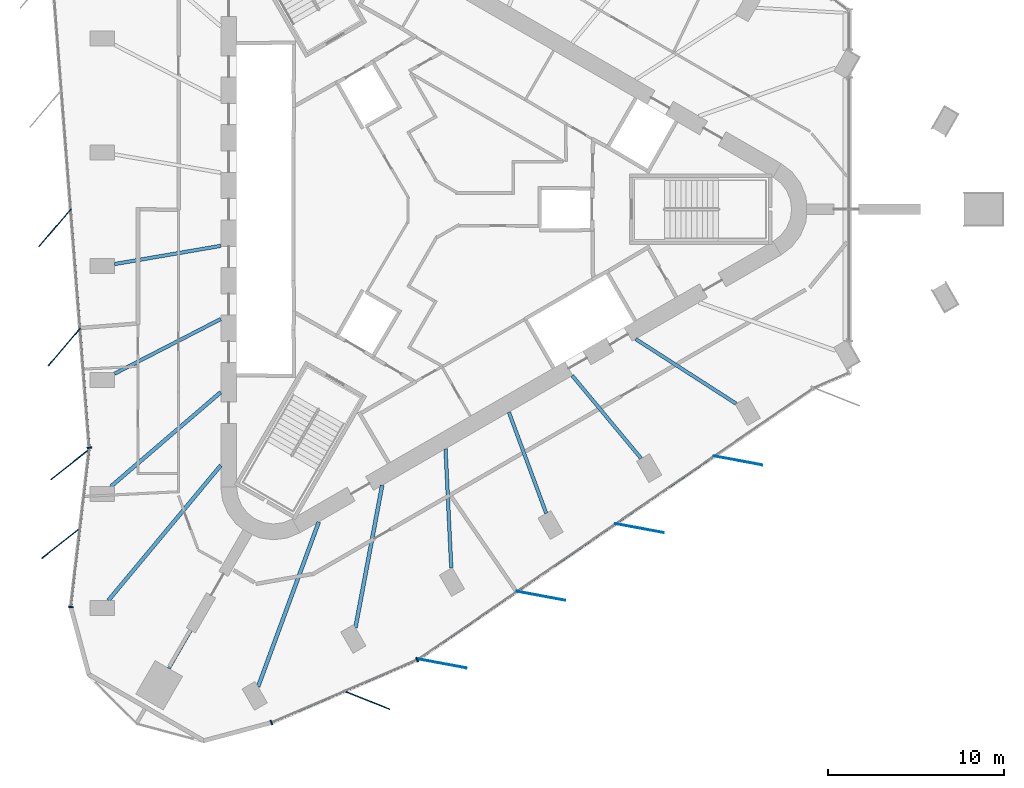
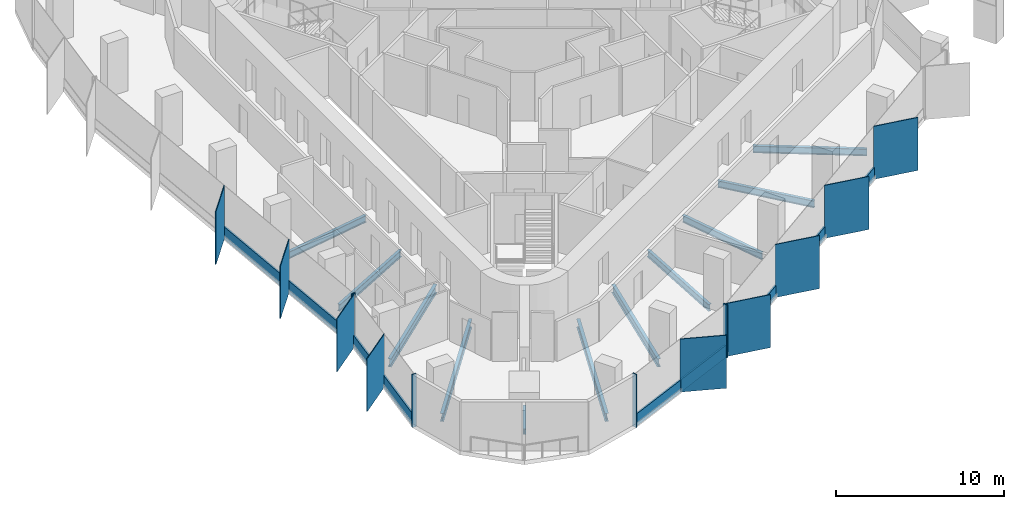
# One storey, part 2 of 12: 22 members, 11 beams, 4 elements without a shape of their own.
"""IFC4 building model written with IfcOpenShell, lengths in metres."""

from ifc_helpers import new_model, si_unit, direction, frame, origin, origin_2d, place, context, subcontext, project, spatial, rectangle, i_section, extrude, material, material_profile, profile_set, type_object, element, aggregate, save


model = new_model("IFC4")

# Units and contexts
model_context = context("Model", 3, precision=1e-05, world=origin(), true_north=direction((0.0, 1.0)))
body_context = subcontext(model_context, "Body", "Model", "MODEL_VIEW")
ifc_project = project(units=[si_unit("LENGTHUNIT", "METRE"), si_unit("AREAUNIT", "SQUARE_METRE"), si_unit("VOLUMEUNIT", "CUBIC_METRE"), si_unit("PLANEANGLEUNIT", "RADIAN"), si_unit("MASSUNIT", "GRAM", prefix="KILO")], contexts=[model_context])

# Site, building, storey
site_placement = place(None, origin())
site = spatial("IfcSite", under=ifc_project, at=site_placement, CompositionType="ELEMENT")
building_placement = place(site_placement, origin())
building = spatial("IfcBuilding", under=site, at=building_placement, Name="Tanit Gate Tower", CompositionType="ELEMENT")
storey_placement = place(building_placement, frame((0.0, 0.0, 388.39990234375)))
storey = spatial("IfcBuildingStorey", under=building, at=storey_placement, Name="L89", CompositionType="ELEMENT", Elevation=388.39990234375)

# Curtain wall, members
ifc_material_1 = material(Name="Aluminium bronze anodised and glass", Category="aluminium")
curtain_wall_type = type_object("IfcCurtainWallType", Name="Curtain wall typical high", PredefinedType="NOTDEFINED", material=ifc_material_1)
curtain_wall_1_placement = place(storey_placement, origin())
curtain_wall_1 = element("IfcCurtainWall", 1, at=curtain_wall_1_placement, inside=storey, type_object=curtain_wall_type, Name="Curtain wall L89 W2", PredefinedType="NOTDEFINED")
ifc_material_2 = material(Name="Aluminium bronze anodised", Category="aluminium")
ifc_material_profile_1 = material_profile(ifc_material_2, rectangle(XDim=2.800048828125, YDim=0.055908203125, at=origin_2d()), Name="56x2800 bronze fin mullion")
ifc_profile_set_1 = profile_set([ifc_material_profile_1], Name="Aluminium bronze anodised")
member_type_1 = type_object("IfcMemberType", Name="FIN MULLION 56x2800 bronze", PredefinedType="MULLION", material=ifc_profile_set_1)
member_1_placement = place(storey_placement, frame((-21.510498046875, -1.05126953125, -0.2998046875), z_axis=(0.0, 0.0, 1.0), x_axis=(0.649921223903, 0.760001580735, 0.0)))
member_1 = element("IfcMember", 2, at=member_1_placement, type_object=member_type_1, Name="Fin mullion L89 W2.3", PredefinedType="MULLION", context=body_context, shape_type="SweptSolid", body=[
    extrude(rectangle(XDim=2.800048828125, YDim=0.055908203125, at=origin_2d()), origin(), (0.0, 0.0, 1.0), 3.849853515625),
])
member_2_placement = place(storey_placement, frame((-20.982177734375, -7.818359375, -0.2998046875), z_axis=(0.0, 0.0, 1.0), x_axis=(0.649921223903, 0.760001580735, 0.0)))
member_2 = element("IfcMember", 3, at=member_2_placement, type_object=member_type_1, Name="Fin mullion L89 W2.4", PredefinedType="MULLION", context=body_context, shape_type="SweptSolid", body=[
    extrude(rectangle(XDim=2.800048828125, YDim=0.055908203125, at=origin_2d()), origin(), (0.0, 0.0, 1.0), 3.849853515625),
])

curtain_wall_2_placement = place(storey_placement, origin())
curtain_wall_2 = element("IfcCurtainWall", 4, at=curtain_wall_2_placement, inside=storey, type_object=curtain_wall_type, Name="Curtain wall L89 W3", PredefinedType="NOTDEFINED")
member_3_placement = place(storey_placement, frame((-20.64111328125, -14.47216796875, -0.2998046875), z_axis=(0.0, 0.0, 1.0), x_axis=(0.784556334353, 0.620057544286, 0.0)))
member_3 = element("IfcMember", 5, at=member_3_placement, type_object=member_type_1, Name="Fin mullion L89 W3.1", PredefinedType="MULLION", context=body_context, shape_type="SweptSolid", body=[
    extrude(rectangle(XDim=2.800048828125, YDim=0.055908203125, at=origin_2d()), origin(), (0.0, 0.0, 1.0), 3.849853515625),
])
member_4_placement = place(storey_placement, frame((-21.165771484375, -18.951416015625, -0.2998046875), z_axis=(0.0, 0.0, 1.0), x_axis=(0.784556334353, 0.620057544286, 0.0)))
member_4 = element("IfcMember", 6, at=member_4_placement, type_object=member_type_1, Name="Fin mullion L89 W3.2", PredefinedType="MULLION", context=body_context, shape_type="SweptSolid", body=[
    extrude(rectangle(XDim=2.800048828125, YDim=0.055908203125, at=origin_2d()), origin(), (0.0, 0.0, 1.0), 3.849853515625),
])

# Curtain wall, member
curtain_wall_3_placement = place(storey_placement, origin())
curtain_wall_3 = element("IfcCurtainWall", 7, at=curtain_wall_3_placement, inside=storey, type_object=curtain_wall_type, Name="Curtain wall L89 SE1", PredefinedType="NOTDEFINED")
member_5_placement = place(storey_placement, frame((-3.80859375, -27.86474609375, -0.2998046875), z_axis=(0.0, 0.0, 1.0), x_axis=(-0.929263752337, 0.369416944107, 0.0)))
member_5 = element("IfcMember", 8, at=member_5_placement, type_object=member_type_1, Name="Fin mullion L89 SE1.2", PredefinedType="MULLION", context=body_context, shape_type="SweptSolid", body=[
    extrude(rectangle(XDim=2.800048828125, YDim=0.055908203125, at=origin_2d()), origin(), (0.0, 0.0, 1.0), 3.849853515625),
])

# Curtain wall, members
curtain_wall_4_placement = place(storey_placement, origin())
curtain_wall_4 = element("IfcCurtainWall", 9, at=curtain_wall_4_placement, inside=storey, type_object=curtain_wall_type, Name="Curtain wall L89 SE2", PredefinedType="NOTDEFINED")
member_6_placement = place(storey_placement, frame((0.472900390625, -25.78515625, -0.2998046875), z_axis=(0.0, 0.0, 1.0), x_axis=(-0.983141287785, 0.182847499991, 0.0)))
member_6 = element("IfcMember", 10, at=member_6_placement, type_object=member_type_1, Name="Fin mullion L89 SE2.1", PredefinedType="MULLION", context=body_context, shape_type="SweptSolid", body=[
    extrude(rectangle(XDim=2.800048828125, YDim=0.055908203125, at=origin_2d()), origin(), (0.0, 0.0, 1.0), 3.849853515625),
])
member_7_placement = place(storey_placement, frame((6.0693359375, -21.944091796875, -0.2998046875), z_axis=(0.0, 0.0, 1.0), x_axis=(-0.983141287785, 0.182847499991, 0.0)))
member_7 = element("IfcMember", 11, at=member_7_placement, type_object=member_type_1, Name="Fin mullion L89 SE2.2", PredefinedType="MULLION", context=body_context, shape_type="SweptSolid", body=[
    extrude(rectangle(XDim=2.800048828125, YDim=0.055908203125, at=origin_2d()), origin(), (0.0, 0.0, 1.0), 3.849853515625),
])
member_8_placement = place(storey_placement, frame((11.665771484375, -18.10302734375, -0.2998046875), z_axis=(0.0, 0.0, 1.0), x_axis=(-0.983141287785, 0.182847499991, 0.0)))
member_8 = element("IfcMember", 12, at=member_8_placement, type_object=member_type_1, Name="Fin mullion L89 SE2.3", PredefinedType="MULLION", context=body_context, shape_type="SweptSolid", body=[
    extrude(rectangle(XDim=2.800048828125, YDim=0.055908203125, at=origin_2d()), origin(), (0.0, 0.0, 1.0), 3.849853515625),
])
member_9_placement = place(storey_placement, frame((17.261962890625, -14.26171875, -0.2998046875), z_axis=(0.0, 0.0, 1.0), x_axis=(-0.983141287785, 0.182847499991, 0.0)))
member_9 = element("IfcMember", 13, at=member_9_placement, type_object=member_type_1, Name="Fin mullion L89 SE2.4", PredefinedType="MULLION", context=body_context, shape_type="SweptSolid", body=[
    extrude(rectangle(XDim=2.800048828125, YDim=0.055908203125, at=origin_2d()), origin(), (0.0, 0.0, 1.0), 3.849853515625),
])

# Member
ifc_material_3 = material(Name="Aluminium bronze anodised", Category="aluminium")
ifc_material_profile_2 = material_profile(ifc_material_3, rectangle(XDim=0.280029296875, YDim=0.080078125, at=origin_2d()), Name="80x280 bronze mullion")
ifc_profile_set_2 = profile_set([ifc_material_profile_2], Name="Aluminium bronze anodised")
member_type_2 = type_object("IfcMemberType", Name="Mullion 80x280 typical high", PredefinedType="MULLION", material=ifc_profile_set_2)
member_10_placement = place(storey_placement, frame((-19.556640625, -13.53662109375, -0.2998046875), z_axis=(0.0, 0.0, 1.0), x_axis=(0.996965976109, 0.077838566791, 0.0)))
member_10 = element("IfcMember", 14, at=member_10_placement, type_object=member_type_2, Name="Mullion L89 W2.5", PredefinedType="MULLION", context=body_context, shape_type="SweptSolid", body=[
    extrude(rectangle(XDim=0.280029296875, YDim=0.080078125, at=origin_2d()), origin(), (0.0, 0.0, 1.0), 3.849853515625),
])

member_11_placement = place(storey_placement, frame((-20.607421875, -22.574951171875, -0.2998046875), z_axis=(0.0, 0.0, 1.0), x_axis=(0.993211998535, -0.116318209953, 0.0)))
member_11 = element("IfcMember", 15, at=member_11_placement, type_object=member_type_2, Name="Mullion L89 W3.3", PredefinedType="MULLION", context=body_context, shape_type="SweptSolid", body=[
    extrude(rectangle(XDim=0.280029296875, YDim=0.080078125, at=origin_2d()), origin(), (0.0, 0.0, 1.0), 3.849853515625),
])

member_12_placement = place(storey_placement, frame((-9.228515625, -29.138427734375, -0.2998046875), z_axis=(0.0, 0.0, 1.0), x_axis=(-0.395871474525, 0.918305927051, 0.0)))
member_12 = element("IfcMember", 16, at=member_12_placement, type_object=member_type_2, Name="Mullion L89 SE1.1", PredefinedType="MULLION", context=body_context, shape_type="SweptSolid", body=[
    extrude(rectangle(XDim=0.280029296875, YDim=0.080078125, at=origin_2d()), origin(), (0.0, 0.0, 1.0), 3.849853515625),
])

member_13_placement = place(storey_placement, frame((-0.95361328125, -25.5712890625, -0.2998046875), z_axis=(0.0, 0.0, 1.0), x_axis=(-0.395871474525, 0.918305927051, 0.0)))
member_13 = element("IfcMember", 17, at=member_13_placement, type_object=member_type_2, Name="Mullion L89 SE1.3", PredefinedType="MULLION", context=body_context, shape_type="SweptSolid", body=[
    extrude(rectangle(XDim=0.280029296875, YDim=0.080078125, at=origin_2d()), origin(), (0.0, 0.0, 1.0), 3.849853515625),
])

# Beams
ifc_material_4 = material(Name="Steel S355", Category="steel")
ifc_material_profile_3 = material_profile(ifc_material_4, i_section(OverallWidth=0.179931640625, OverallDepth=0.39990234375, WebThickness=0.008544921875, FlangeThickness=0.013427734375, FilletRadius=0.02099609375, at=origin_2d()), Name="IPE 400")
ifc_profile_set_3 = profile_set([ifc_material_profile_3], Name="Steel S355")
beam_type_1 = type_object("IfcBeamType", Name="RADIAL GIRDER IPE 400 S355", PredefinedType="BEAM", material=ifc_profile_set_3)
beam_1_placement = place(storey_placement, frame((-15.0478515625, -26.063720703125, -0.5), z_axis=(0.499965672037, 0.866045222136, 0.0), x_axis=(-0.866045222136, 0.499965672037, 0.0)))
element("IfcBeam", 18, at=beam_1_placement, inside=storey, type_object=beam_type_1, Name="RADIAL GIRDER", PredefinedType="BEAM", context=body_context, shape_type="SweptSolid", body=[
    extrude(i_section(OverallWidth=0.179931640625, OverallDepth=0.39990234375, WebThickness=0.008544921875, FlangeThickness=0.013427734375, FilletRadius=0.02099609375, at=origin_2d()), origin(), (0.0, 0.0, 1.0), 2.490966796875),
])
ifc_material_5 = material(Name="Steel S355", Category="steel")
ifc_material_profile_4 = material_profile(ifc_material_5, i_section(OverallWidth=0.199951171875, OverallDepth=0.5, WebThickness=0.01025390625, FlangeThickness=0.01611328125, FilletRadius=0.02099609375, at=origin_2d()), Name="IPE 500")
ifc_profile_set_4 = profile_set([ifc_material_profile_4], Name="Steel S355")
beam_type_2 = type_object("IfcBeamType", Name="RADIAL GIRDER IPE 500 S355", PredefinedType="BEAM", material=ifc_profile_set_4)
beam_2_placement = place(storey_placement, frame((-18.134033203125, -3.11181640625, -0.5498046875), z_axis=(0.985592249699, 0.169138751719, 0.0), x_axis=(-0.169138751719, 0.985592249699, 0.0)))
element("IfcBeam", 19, at=beam_2_placement, inside=storey, type_object=beam_type_2, Name="RADIAL GIRDER", PredefinedType="BEAM", context=body_context, shape_type="SweptSolid", body=[
    extrude(i_section(OverallWidth=0.199951171875, OverallDepth=0.5, WebThickness=0.01025390625, FlangeThickness=0.01611328125, FilletRadius=0.02099609375, at=origin_2d()), origin(), (0.0, 0.0, 1.0), 6.1201171875),
])
for number, where, z_axis, x_axis, name in (
    (20, (-18.134033203125, -9.33544921875, -0.5498046875), (0.889089509104, 0.457733377416, 0.0), (-0.457733377416, 0.889089509104, 0.0), "RADIAL GIRDER"),
    (21, (0.982177734375, -20.372314453125, -0.5498046875), (-0.048148149824, 0.998840205272, 0.0), (-0.998840205272, -0.048148149824, 0.0), "RADIAL GIRDER"),
):
    element("IfcBeam", number, at=place(storey_placement, frame(where, z_axis=z_axis, x_axis=x_axis)), inside=storey, type_object=beam_type_2, Name=name, PredefinedType="BEAM", context=body_context, shape_type="SweptSolid", body=[
        extrude(i_section(OverallWidth=0.199951171875, OverallDepth=0.5, WebThickness=0.01025390625, FlangeThickness=0.01611328125, FilletRadius=0.02099609375, at=origin_2d()), origin(), (0.0, 0.0, 1.0), 6.784423828125),
    ])
beam_3_placement = place(storey_placement, frame((6.3720703125, -17.260498046875, -0.5498046875), z_axis=(-0.346331956525, 0.938112027366, 0.0), x_axis=(-0.938112027366, -0.346331956525, 0.0)))
element("IfcBeam", 22, at=beam_3_placement, inside=storey, type_object=beam_type_2, Name="RADIAL GIRDER", PredefinedType="BEAM", context=body_context, shape_type="SweptSolid", body=[
    extrude(i_section(OverallWidth=0.199951171875, OverallDepth=0.5, WebThickness=0.01025390625, FlangeThickness=0.01611328125, FilletRadius=0.02099609375, at=origin_2d()), origin(), (0.0, 0.0, 1.0), 6.1201171875),
])
beam_4_placement = place(storey_placement, frame((11.761962890625, -14.1484375, -0.5498046875), z_axis=(-0.639281465972, 0.76897282609, 0.0), x_axis=(-0.76897282609, -0.639281465972, 0.0)))
element("IfcBeam", 23, at=beam_4_placement, inside=storey, type_object=beam_type_2, Name="RADIAL GIRDER", PredefinedType="BEAM", context=body_context, shape_type="SweptSolid", body=[
    extrude(i_section(OverallWidth=0.199951171875, OverallDepth=0.5, WebThickness=0.01025390625, FlangeThickness=0.01611328125, FilletRadius=0.02099609375, at=origin_2d()), origin(), (0.0, 0.0, 1.0), 6.119873046875),
])
beam_5_placement = place(storey_placement, frame((17.151611328125, -11.036865234375, -0.5498046875), z_axis=(-0.840921151668, 0.541157663419, 0.0), x_axis=(-0.541157663419, -0.840921151668, 0.0)))
element("IfcBeam", 24, at=beam_5_placement, inside=storey, type_object=beam_type_2, Name="RADIAL GIRDER", PredefinedType="BEAM", context=body_context, shape_type="SweptSolid", body=[
    extrude(i_section(OverallWidth=0.199951171875, OverallDepth=0.5, WebThickness=0.01025390625, FlangeThickness=0.01611328125, FilletRadius=0.02099609375, at=origin_2d()), origin(), (0.0, 0.0, 1.0), 6.784423828125),
])
ifc_material_6 = material(Name="Steel S355", Category="steel")
ifc_material_profile_5 = material_profile(ifc_material_6, i_section(OverallWidth=0.219970703125, OverallDepth=0.60009765625, WebThickness=0.011962890625, FlangeThickness=0.01904296875, FilletRadius=0.02392578125, at=origin_2d()), Name="IPE 600")
ifc_profile_set_5 = profile_set([ifc_material_profile_5], Name="Steel S355")
beam_type_3 = type_object("IfcBeamType", Name="RADIAL GIRDER IPE 600 S355", PredefinedType="BEAM", material=ifc_profile_set_5)
beam_6_placement = place(storey_placement, frame((-18.338623046875, -15.734619140625, -0.599853515625), z_axis=(0.758929352331, 0.651172971008, 0.0), x_axis=(-0.651172971008, 0.758929352331, 0.0)))
element("IfcBeam", 25, at=beam_6_placement, inside=storey, type_object=beam_type_3, Name="RADIAL GIRDER", PredefinedType="BEAM", context=body_context, shape_type="SweptSolid", body=[
    extrude(i_section(OverallWidth=0.219970703125, OverallDepth=0.60009765625, WebThickness=0.011962890625, FlangeThickness=0.01904296875, FilletRadius=0.02392578125, at=origin_2d()), origin(), (0.0, 0.0, 1.0), 8.217529296875),
])
for number, where, z_axis, x_axis, name in (
    (26, (-18.480224609375, -22.198486328125, -0.599853515625), (0.639810946261, 0.768532337019, 0.0), (-0.768532337019, 0.639810946261, 0.0), "RADIAL GIRDER"),
    (27, (-9.984619140625, -27.103515625, -0.599853515625), (0.345682660263, 0.938351479134, 0.0), (-0.938351479134, 0.345682660263, 0.0), "RADIAL GIRDER"),
):
    element("IfcBeam", number, at=place(storey_placement, frame(where, z_axis=z_axis, x_axis=x_axis)), inside=storey, type_object=beam_type_3, Name=name, PredefinedType="BEAM", context=body_context, shape_type="SweptSolid", body=[
        extrude(i_section(OverallWidth=0.219970703125, OverallDepth=0.60009765625, WebThickness=0.011962890625, FlangeThickness=0.01904296875, FilletRadius=0.02392578125, at=origin_2d()), origin(), (0.0, 0.0, 1.0), 9.96875),
    ])
beam_7_placement = place(storey_placement, frame((-4.45751953125, -23.7490234375, -0.599853515625), z_axis=(0.184498405984, 0.982832812939, 0.0), x_axis=(-0.982832812939, 0.184498405984, 0.0)))
element("IfcBeam", 28, at=beam_7_placement, inside=storey, type_object=beam_type_3, Name="RADIAL GIRDER", PredefinedType="BEAM", context=body_context, shape_type="SweptSolid", body=[
    extrude(i_section(OverallWidth=0.219970703125, OverallDepth=0.60009765625, WebThickness=0.011962890625, FlangeThickness=0.01904296875, FilletRadius=0.02392578125, at=origin_2d()), origin(), (0.0, 0.0, 1.0), 8.217529296875),
])

# Member
ifc_material_7 = material(Name="Aluminium bronze anodised", Category="aluminium")
ifc_material_profile_6 = material_profile(ifc_material_7, rectangle(XDim=0.1201171875, YDim=0.89990234375, at=origin_2d()), Name="120x900 bronze transom")
ifc_profile_set_6 = profile_set([ifc_material_profile_6], Name="Aluminium bronze anodised")
member_type_3 = type_object("IfcMemberType", Name="Transom 120x900 typical high", PredefinedType="USERDEFINED", material=ifc_profile_set_6)
member_14_placement = place(storey_placement, frame((-20.6103515625, -0.042236328125, 0.150146484375), z_axis=(0.077854316831, -0.996964746293, 0.0), x_axis=(0.996964746293, 0.077854316831, 0.0)))
member_14 = element("IfcMember", 29, at=member_14_placement, type_object=member_type_3, Name="Transom L89 W2.3", ObjectType="TRANSOM", PredefinedType="USERDEFINED", context=body_context, shape_type="SweptSolid", body=[
    extrude(rectangle(XDim=0.1201171875, YDim=0.89990234375, at=origin_2d()), origin(), (0.0, 0.0, 1.0), 6.70751953125),
])

member_15_placement = place(storey_placement, frame((-20.08203125, -6.809326171875, 0.150146484375), z_axis=(0.077851491829, -0.996964966897, 0.0), x_axis=(0.996964966897, 0.077851491829, 0.0)))
member_15 = element("IfcMember", 30, at=member_15_placement, type_object=member_type_3, Name="Transom L89 W2.4", ObjectType="TRANSOM", PredefinedType="USERDEFINED", context=body_context, shape_type="SweptSolid", body=[
    extrude(rectangle(XDim=0.1201171875, YDim=0.89990234375, at=origin_2d()), origin(), (0.0, 0.0, 1.0), 6.707763671875),
])

aggregate(curtain_wall_1, [member_1, member_2, member_10, member_14, member_15])

member_16_placement = place(storey_placement, frame((-19.56298828125, -13.656005859375, 0.150146484375), z_axis=(-0.116284849592, -0.993215904905, 0.0), x_axis=(0.993215904905, -0.116284849592, 0.0)))
member_16 = element("IfcMember", 31, at=member_16_placement, type_object=member_type_3, Name="Transom L89 W3.1", ObjectType="TRANSOM", PredefinedType="USERDEFINED", context=body_context, shape_type="SweptSolid", body=[
    extrude(rectangle(XDim=0.1201171875, YDim=0.89990234375, at=origin_2d()), origin(), (0.0, 0.0, 1.0), 4.429931640625),
])

member_17_placement = place(storey_placement, frame((-20.08740234375, -18.13525390625, 0.150146484375), z_axis=(-0.116332847467, -0.99321028418, 0.0), x_axis=(0.99321028418, -0.116332847467, 0.0)))
member_17 = element("IfcMember", 32, at=member_17_placement, type_object=member_type_3, Name="Transom L89 W3.2", ObjectType="TRANSOM", PredefinedType="USERDEFINED", context=body_context, shape_type="SweptSolid", body=[
    extrude(rectangle(XDim=0.1201171875, YDim=0.89990234375, at=origin_2d()), origin(), (0.0, 0.0, 1.0), 4.43017578125),
])

aggregate(curtain_wall_2, [member_3, member_4, member_11, member_16, member_17])

member_18_placement = place(storey_placement, frame((-9.191650390625, -29.12255859375, 0.150146484375), z_axis=(0.918315441962, 0.395849401987, 0.0), x_axis=(-0.395849401987, 0.918315441962, 0.0)))
member_18 = element("IfcMember", 33, at=member_18_placement, type_object=member_type_3, Name="Transom L89 SE1.1", ObjectType="TRANSOM", PredefinedType="USERDEFINED", context=body_context, shape_type="SweptSolid", body=[
    extrude(rectangle(XDim=0.1201171875, YDim=0.89990234375, at=origin_2d()), origin(), (0.0, 0.0, 1.0), 4.42529296875),
])

member_19_placement = place(storey_placement, frame((-5.054443359375, -27.339111328125, 0.150146484375), z_axis=(0.918304032132, 0.395875870154, 0.0), x_axis=(-0.395875870154, 0.918304032132, 0.0)))
member_19 = element("IfcMember", 34, at=member_19_placement, type_object=member_type_3, Name="Transom L89 SE1.2", ObjectType="TRANSOM", PredefinedType="USERDEFINED", context=body_context, shape_type="SweptSolid", body=[
    extrude(rectangle(XDim=0.1201171875, YDim=0.89990234375, at=origin_2d()), origin(), (0.0, 0.0, 1.0), 4.425537109375),
])

aggregate(curtain_wall_3, [member_12, member_5, member_13, member_18, member_19])

member_20_placement = place(storey_placement, frame((-0.85107421875, -25.51025390625, 0.150146484375), z_axis=(0.824482387079, 0.565887615517, 0.0), x_axis=(-0.565887615517, 0.824482387079, 0.0)))
member_20 = element("IfcMember", 35, at=member_20_placement, type_object=member_type_3, Name="Transom L89 SE2.1", ObjectType="TRANSOM", PredefinedType="USERDEFINED", context=body_context, shape_type="SweptSolid", body=[
    extrude(rectangle(XDim=0.1201171875, YDim=0.89990234375, at=origin_2d()), origin(), (0.0, 0.0, 1.0), 6.707763671875),
])

member_21_placement = place(storey_placement, frame((4.745361328125, -21.669189453125, 0.150146484375), z_axis=(0.824482387079, 0.565887615517, 0.0), x_axis=(-0.565887615517, 0.824482387079, 0.0)))
member_21 = element("IfcMember", 36, at=member_21_placement, type_object=member_type_3, Name="Transom L89 SE2.2", ObjectType="TRANSOM", PredefinedType="USERDEFINED", context=body_context, shape_type="SweptSolid", body=[
    extrude(rectangle(XDim=0.1201171875, YDim=0.89990234375, at=origin_2d()), origin(), (0.0, 0.0, 1.0), 6.707763671875),
])

member_22_placement = place(storey_placement, frame((10.341796875, -17.827880859375, 0.150146484375), z_axis=(0.824487713367, 0.565879855188, 0.0), x_axis=(-0.565879855188, 0.824487713367, 0.0)))
member_22 = element("IfcMember", 37, at=member_22_placement, type_object=member_type_3, Name="Transom L89 SE2.3", ObjectType="TRANSOM", PredefinedType="USERDEFINED", context=body_context, shape_type="SweptSolid", body=[
    extrude(rectangle(XDim=0.1201171875, YDim=0.89990234375, at=origin_2d()), origin(), (0.0, 0.0, 1.0), 6.70751953125),
])

aggregate(curtain_wall_4, [member_6, member_7, member_8, member_9, member_20, member_21, member_22])

save(model, "model.ifc")
